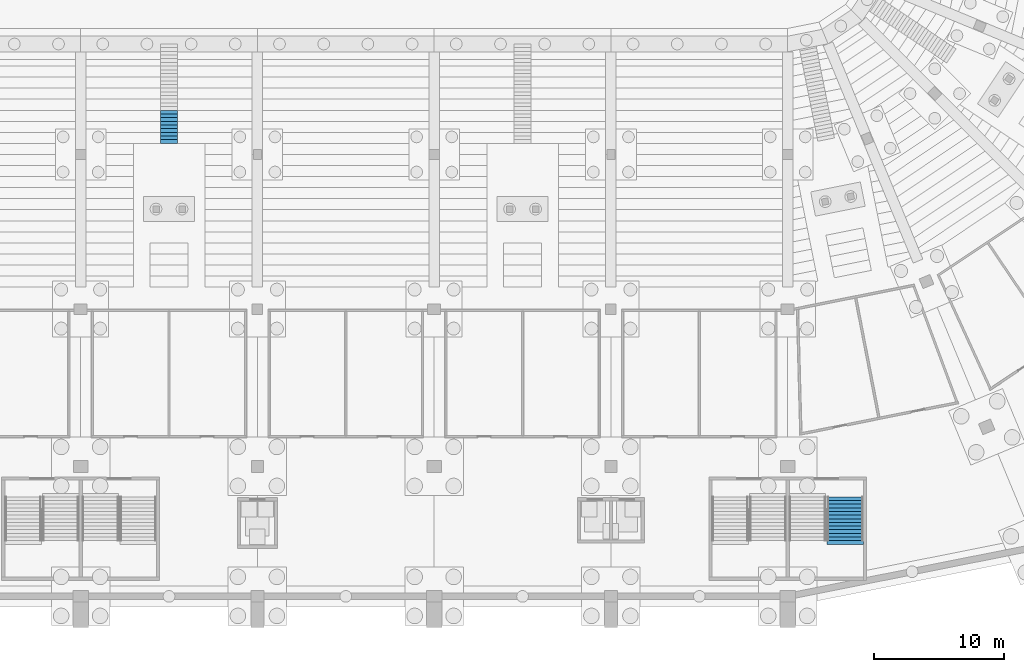
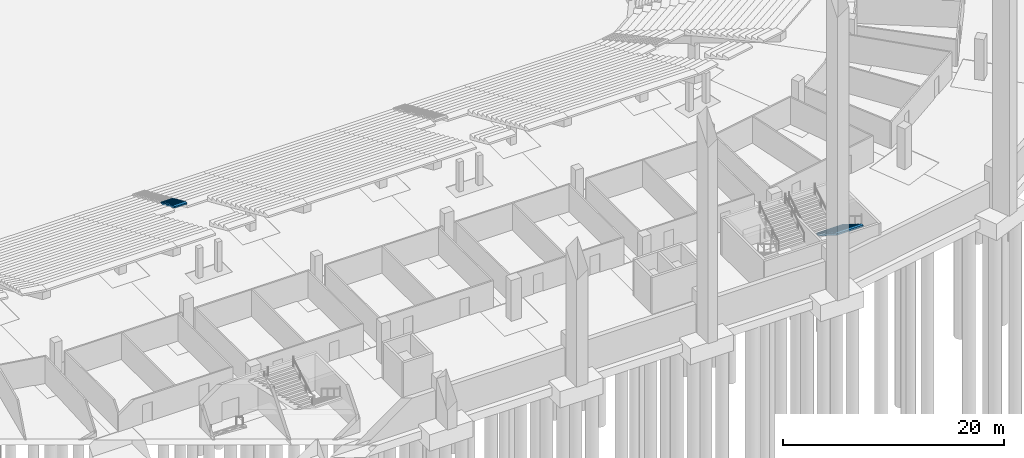
# One storey, part 70 of 115: 2 stair flights, 2 elements without a shape of their own.
"""IFC4 building model written with IfcOpenShell, lengths in metres."""

import ifcopenshell
import ifcopenshell.guid

model = None  # the IFC model being written
_history = None  # IfcOwnerHistory: only IFC2X3 demands one
_inside = {}  # id of a spatial element -> (the spatial element, [elements in it])
_under = {}  # id of a project, library or spatial element -> (it, [spatial elements below it])
_declared = {}  # id of a project -> (the project, [libraries it declares])
_typed = {}  # id of a type object -> (the type object, [elements of that type])
_made_of = {}  # id of a material, layer set ... -> (it, [elements and type objects made of it])


def new_model(schema):
    """Start an empty IFC model of exactly this schema.

    Asked for "IFC4X3", IfcOpenShell would pick the latest addendum, in which some entities
    have other attributes; the version numbers below select the first issue.
    IFC2X3 requires an IfcOwnerHistory on every rooted entity: one is made here for all.
    """
    global model, _history
    if schema == "IFC4X3":
        model = ifcopenshell.file(schema_version=(4, 3, 0, 0))
    else:
        model = ifcopenshell.file(schema=schema)
    _inside.clear()
    _under.clear()
    _declared.clear()
    _typed.clear()
    _made_of.clear()
    _history = None
    if model.schema == "IFC2X3":
        org = make("IfcOrganization", Name="unknown")
        user = make(
            "IfcPersonAndOrganization",
            ThePerson=make("IfcPerson", FamilyName="unknown"),
            TheOrganization=org,
        )
        app = make(
            "IfcApplication",
            ApplicationDeveloper=org,
            Version="unknown",
            ApplicationFullName="unknown",
            ApplicationIdentifier="unknown",
        )
        _history = make(
            "IfcOwnerHistory",
            OwningUser=user,
            OwningApplication=app,
            ChangeAction="ADDED",
            CreationDate=0,
        )
    return model


def make(cls, **values):
    """One entity of the class cls with the attributes given. An attribute that is None is left unset."""
    return model.create_entity(
        cls, **{name: value for name, value in values.items() if value is not None}
    )


def rooted(cls, **values):
    """An entity with a GlobalId (a new one), such as an element, a storey or a relation."""
    return make(cls, GlobalId=ifcopenshell.guid.new(), OwnerHistory=_history, **values)


def si_unit(unit_type, name, prefix=None):
    """IfcSIUnit, for example si_unit("LENGTHUNIT", "METRE", prefix="MILLI")."""
    return make("IfcSIUnit", UnitType=unit_type, Prefix=prefix, Name=name)


def assignment(units):
    """IfcUnitAssignment: the units of a project."""
    return None if units is None else make("IfcUnitAssignment", Units=units)


def point(xyz):
    """IfcCartesianPoint."""
    return None if xyz is None else make("IfcCartesianPoint", Coordinates=xyz)


def direction(xyz):
    """IfcDirection."""
    return None if xyz is None else make("IfcDirection", DirectionRatios=xyz)


def frame(location, z_axis=None, x_axis=None):
    """IfcAxis2Placement3D, a coordinate frame: its origin and axes. An axis left out is left unset."""
    return make(
        "IfcAxis2Placement3D",
        Location=point(location),
        Axis=direction(z_axis),
        RefDirection=direction(x_axis),
    )


def origin():
    """The frame at (0, 0, 0) with its axes left unset."""
    return frame((0.0, 0.0, 0.0))


def place(relative_to, where):
    """IfcLocalPlacement: puts the frame where relative to a parent placement (None: the world)."""
    return make(
        "IfcLocalPlacement", PlacementRelTo=relative_to, RelativePlacement=where
    )


def context(
    kind, dimensions, precision=None, world=None, true_north=None, identifier=None
):
    """IfcGeometricRepresentationContext, for example the 3D "Model" context."""
    return make(
        "IfcGeometricRepresentationContext",
        ContextIdentifier=identifier,
        ContextType=kind,
        CoordinateSpaceDimension=dimensions,
        Precision=precision,
        WorldCoordinateSystem=world,
        TrueNorth=true_north,
    )


def subcontext(parent, identifier, kind, view, scale=None):
    """IfcGeometricRepresentationSubContext, for example "Body" below "Model"."""
    return make(
        "IfcGeometricRepresentationSubContext",
        ContextIdentifier=identifier,
        ContextType=kind,
        ParentContext=parent,
        TargetScale=scale,
        TargetView=view,
    )


def project(units=None, contexts=None):
    """IfcProject with its units and contexts."""
    return rooted(
        "IfcProject",
        Name="project",
        RepresentationContexts=contexts,
        UnitsInContext=assignment(units),
    )


def spatial(cls, under=None, at=None, **own):
    """A site, building, storey or space (cls), placed at a placement, below another one or the project."""
    s = rooted(cls, ObjectPlacement=at, **own)
    if under is not None:
        _under.setdefault(under.id(), (under, []))[1].append(s)
    return s


def faces_of(points, faces, orient=None, outer=None):
    """IfcFace entities. A face is a list of loops; a loop is a list of indices into points, from 0.

    orient and outer hold one flag for each loop. By default every Orientation is true, the
    first loop of a face is its IfcFaceOuterBound and the others are IfcFaceBound.
    """
    made = []
    for i, loops in enumerate(faces):
        bounds = []
        for j, loop in enumerate(loops):
            is_outer = j == 0 if outer is None else outer[i][j]
            bounds.append(
                make(
                    "IfcFaceOuterBound" if is_outer else "IfcFaceBound",
                    Bound=make("IfcPolyLoop", Polygon=[points[k] for k in loop]),
                    Orientation=True if orient is None else orient[i][j],
                )
            )
        made.append(make("IfcFace", Bounds=bounds))
    return made


def faceted_brep(points, faces, orient=None, outer=None, voids=None):
    """IfcFacetedBrep: a solid bounded by flat faces; with voids (closed shells), ...WithVoids."""
    shared = [point(p) for p in points]
    hull = make("IfcClosedShell", CfsFaces=faces_of(shared, faces, orient, outer))
    if voids is None:
        return make("IfcFacetedBrep", Outer=hull)
    return make(
        "IfcFacetedBrepWithVoids",
        Outer=hull,
        Voids=[
            make(cls, CfsFaces=faces_of(shared, fs, o, b)) for cls, fs, o, b in voids
        ],
    )


def shape(context_of_items, identifier, shape_type, items):
    """IfcShapeRepresentation: the items that make up one representation, for example the "Body"."""
    return make(
        "IfcShapeRepresentation",
        ContextOfItems=context_of_items,
        RepresentationIdentifier=identifier,
        RepresentationType=shape_type,
        Items=items,
    )


def material(Name=None, Category=None):
    """IfcMaterial."""
    return make("IfcMaterial", Name=Name, Category=Category)


def made_of(thing, what):
    """Note that an element or type object is made of a material, layer set ...; save() writes the relation."""
    if what is not None:
        _made_of.setdefault(what.id(), (what, []))[1].append(thing)
    return thing


def type_object(cls, material=None, **own):
    """A type object (cls), such as IfcWallType, which elements share."""
    return made_of(rooted(cls, **own), material)


def element(
    cls,
    number,
    at=None,
    inside=None,
    cuts=None,
    type_object=None,
    material=None,
    context=None,
    identifier="Body",
    shape_type=None,
    held_by="IfcProductDefinitionShape",
    body=None,
    shapes=None,
    **own,
):
    """One element of the class cls, such as IfcWall. Its Tag is "e" and its number.

    at: its placement. inside: the storey or other place that contains it. cuts: it is an
    opening in that element (IfcRelVoidsElement). A single representation is given by context,
    identifier, shape_type and body (its items); several are given by shapes. held_by: the class
    of the entity that holds the representations. save() writes the other relations.
    """
    e = rooted(cls, Tag="e%d" % number, ObjectPlacement=at, **own)
    if body is not None:
        shapes = [shape(context, identifier, shape_type, body)]
    if shapes is not None:
        e.Representation = make(held_by, Representations=shapes)
    if inside is not None:
        _inside.setdefault(inside.id(), (inside, []))[1].append(e)
    if cuts is not None:
        rooted(
            "IfcRelVoidsElement", RelatingBuildingElement=cuts, RelatedOpeningElement=e
        )
    if type_object is not None:
        _typed.setdefault(type_object.id(), (type_object, []))[1].append(e)
    return made_of(e, material)


def aggregate(whole, parts):
    """IfcRelAggregates: a whole, such as a stair, and the parts it consists of."""
    return rooted("IfcRelAggregates", RelatingObject=whole, RelatedObjects=parts)


def save(model, path):
    """Write the relations noted so far, then the file.

    IfcRelAggregates (storeys below a building ...), IfcRelContainedInSpatialStructure (elements
    in a storey), IfcRelDefinesByType, IfcRelAssociatesMaterial and IfcRelDeclares: one each for
    every whole, place, type object, material and project.
    """
    for whole, parts in _under.values():
        aggregate(whole, parts)
    for where, things in _inside.values():
        rooted(
            "IfcRelContainedInSpatialStructure",
            RelatedElements=things,
            RelatingStructure=where,
        )
    for kind, things in _typed.values():
        rooted("IfcRelDefinesByType", RelatedObjects=things, RelatingType=kind)
    for what, things in _made_of.values():
        rooted("IfcRelAssociatesMaterial", RelatedObjects=things, RelatingMaterial=what)
    for by, libraries in _declared.values():
        rooted("IfcRelDeclares", RelatingContext=by, RelatedDefinitions=libraries)
    model.write(path)


model = new_model("IFC4")

# Units and contexts
model_context = context("Model", 3, precision=1e-05, world=origin(), true_north=direction((0.0, 1.0)))
body_context = subcontext(model_context, "Body", "Model", "MODEL_VIEW")
ifc_project = project(units=[si_unit("LENGTHUNIT", "METRE"), si_unit("AREAUNIT", "SQUARE_METRE"), si_unit("VOLUMEUNIT", "CUBIC_METRE"), si_unit("PLANEANGLEUNIT", "RADIAN"), si_unit("MASSUNIT", "GRAM", prefix="KILO")], contexts=[model_context])

# Site, building, storey
site_placement = place(None, origin())
site = spatial("IfcSite", under=ifc_project, at=site_placement, CompositionType="ELEMENT")
building_placement = place(site_placement, origin())
building = spatial("IfcBuilding", under=site, at=building_placement, Name="Ogive Plaza Stadium", CompositionType="ELEMENT")
storey_placement = place(building_placement, frame((0.0, 0.0, -4.5)))
storey = spatial("IfcBuildingStorey", under=building, at=storey_placement, Name="B1", CompositionType="ELEMENT", Elevation=-4.5)

# Stair, stair flight
ifc_material_1 = material(Name="Concrete C40/50", Category="concrete")
stair_type_1 = type_object("IfcStairType", Name="Aisle stair", PredefinedType="STRAIGHT_RUN_STAIR", material=ifc_material_1)
stair_1_placement = place(storey_placement, origin())
stair_1 = element("IfcStair", 1, at=stair_1_placement, inside=storey, type_object=stair_type_1, Name="Aisle stair SA15D", PredefinedType="STRAIGHT_RUN_STAIR")
ifc_material_2 = material(Name="Concrete C40/50", Category="concrete")
stair_flight_type_1 = type_object("IfcStairFlightType", Name="Aisle stair flight", PredefinedType="STRAIGHT", material=ifc_material_2)
stair_flight_1_placement = place(storey_placement, frame((-13.60009765625, -65.10009765625, 3.375), z_axis=(0.0, 0.0, 1.0), x_axis=(0.0, -1.0, 0.0)))
stair_flight_1 = element("IfcStairFlight", 2, at=stair_flight_1_placement, type_object=stair_flight_type_1, Name="SA15D flight 2", NumberOfRisers=9, NumberOfTreads=8, PredefinedType="STRAIGHT", RiserHeight=0.125, TreadLength=0.283333333, context=body_context, shape_type="Brep", body=[
    faceted_brep([(0.371337890625, -0.64990234375, 0.0), (2.550048828125, -0.64990234375, 0.961181640625), (2.550048828125, -0.64990234375, 1.125), (2.2666015625, -0.64990234375, 1.125), (2.2666015625, -0.64990234375, 1.0), (1.9833984375, -0.64990234375, 1.0), (1.9833984375, -0.64990234375, 0.875), (1.699951171875, -0.64990234375, 0.875), (1.699951171875, -0.64990234375, 0.75), (1.416748046875, -0.64990234375, 0.75), (1.416748046875, -0.64990234375, 0.625), (1.13330078125, -0.64990234375, 0.625), (1.13330078125, -0.64990234375, 0.5), (0.85009765625, -0.64990234375, 0.5), (0.85009765625, -0.64990234375, 0.375), (0.566650390625, -0.64990234375, 0.375), (0.566650390625, -0.64990234375, 0.25), (0.283447265625, -0.64990234375, 0.25), (0.283447265625, -0.64990234375, 0.125), (0.0, -0.64990234375, 0.125), (0.0, -0.64990234375, 0.0), (0.0, 0.64990234375, 0.0), (0.0, 0.64990234375, 0.125), (0.283447265625, 0.64990234375, 0.125), (0.283447265625, 0.64990234375, 0.25), (0.566650390625, 0.64990234375, 0.25), (0.566650390625, 0.64990234375, 0.375), (0.85009765625, 0.64990234375, 0.375), (0.85009765625, 0.64990234375, 0.5), (1.13330078125, 0.64990234375, 0.5), (1.13330078125, 0.64990234375, 0.625), (1.416748046875, 0.64990234375, 0.625), (1.416748046875, 0.64990234375, 0.75), (1.699951171875, 0.64990234375, 0.75), (1.699951171875, 0.64990234375, 0.875), (1.9833984375, 0.64990234375, 0.875), (1.9833984375, 0.64990234375, 1.0), (2.2666015625, 0.64990234375, 1.0), (2.2666015625, 0.64990234375, 1.125), (2.550048828125, 0.64990234375, 1.125), (2.550048828125, 0.64990234375, 0.961181640625), (0.371337890625, 0.64990234375, 0.0), (0.371337890625, -0.324951171875, 0.0), (2.550048828125, -0.324951171875, 0.961181640625), (0.371337890625, 0.0, 0.0), (2.550048828125, 0.0, 0.961181640625), (0.371337890625, 0.324951171875, 0.0), (2.550048828125, 0.324951171875, 0.961181640625), (2.550048828125, -0.324951171875, 1.125), (2.550048828125, 0.0, 1.125), (2.550048828125, 0.324951171875, 1.125), (2.2666015625, -0.324951171875, 1.125), (2.2666015625, 0.0, 1.125), (2.2666015625, 0.324951171875, 1.125), (2.2666015625, -0.324951171875, 1.0), (2.2666015625, 0.0, 1.0), (2.2666015625, 0.324951171875, 1.0), (1.9833984375, -0.324951171875, 1.0), (1.9833984375, 0.0, 1.0), (1.9833984375, 0.324951171875, 1.0), (1.9833984375, -0.324951171875, 0.875), (1.9833984375, 0.0, 0.875), (1.9833984375, 0.324951171875, 0.875), (1.699951171875, -0.324951171875, 0.875), (1.699951171875, 0.0, 0.875), (1.699951171875, 0.324951171875, 0.875), (1.699951171875, -0.324951171875, 0.75), (1.699951171875, 0.0, 0.75), (1.699951171875, 0.324951171875, 0.75), (1.416748046875, -0.324951171875, 0.75), (1.416748046875, 0.0, 0.75), (1.416748046875, 0.324951171875, 0.75), (1.416748046875, -0.324951171875, 0.625), (1.416748046875, 0.0, 0.625), (1.416748046875, 0.324951171875, 0.625), (1.13330078125, -0.324951171875, 0.625), (1.13330078125, 0.0, 0.625), (1.13330078125, 0.324951171875, 0.625), (1.13330078125, -0.324951171875, 0.5), (1.13330078125, 0.0, 0.5), (1.13330078125, 0.324951171875, 0.5), (0.85009765625, -0.324951171875, 0.5), (0.85009765625, 0.0, 0.5), (0.85009765625, 0.324951171875, 0.5), (0.85009765625, -0.324951171875, 0.375), (0.85009765625, 0.0, 0.375), (0.85009765625, 0.324951171875, 0.375), (0.566650390625, -0.324951171875, 0.375), (0.566650390625, 0.0, 0.375), (0.566650390625, 0.324951171875, 0.375), (0.566650390625, -0.324951171875, 0.25), (0.566650390625, 0.0, 0.25), (0.566650390625, 0.324951171875, 0.25), (0.283447265625, -0.324951171875, 0.25), (0.283447265625, 0.0, 0.25), (0.283447265625, 0.324951171875, 0.25), (0.283447265625, -0.324951171875, 0.125), (0.283447265625, 0.0, 0.125), (0.283447265625, 0.324951171875, 0.125), (0.0, -0.324951171875, 0.125), (0.0, 0.0, 0.125), (0.0, 0.324951171875, 0.125), (0.0, -0.324951171875, 0.0), (0.0, 0.0, 0.0), (0.0, 0.324951171875, 0.0)], [[[0, 1, 2, 3, 4, 5, 6, 7, 8, 9, 10, 11, 12, 13, 14, 15, 16, 17, 18, 19, 20]], [[21, 22, 23, 24, 25, 26, 27, 28, 29, 30, 31, 32, 33, 34, 35, 36, 37, 38, 39, 40, 41]], [[0, 42, 43, 1]], [[42, 44, 45, 43]], [[44, 46, 47, 45]], [[46, 41, 40, 47]], [[1, 43, 48, 2]], [[43, 45, 49, 48]], [[45, 47, 50, 49]], [[47, 40, 39, 50]], [[2, 48, 51, 3]], [[48, 49, 52, 51]], [[49, 50, 53, 52]], [[50, 39, 38, 53]], [[3, 51, 54, 4]], [[51, 52, 55, 54]], [[52, 53, 56, 55]], [[53, 38, 37, 56]], [[4, 54, 57, 5]], [[54, 55, 58, 57]], [[55, 56, 59, 58]], [[56, 37, 36, 59]], [[5, 57, 60, 6]], [[57, 58, 61, 60]], [[58, 59, 62, 61]], [[59, 36, 35, 62]], [[6, 60, 63, 7]], [[60, 61, 64, 63]], [[61, 62, 65, 64]], [[62, 35, 34, 65]], [[7, 63, 66, 8]], [[63, 64, 67, 66]], [[64, 65, 68, 67]], [[65, 34, 33, 68]], [[8, 66, 69, 9]], [[66, 67, 70, 69]], [[67, 68, 71, 70]], [[68, 33, 32, 71]], [[9, 69, 72, 10]], [[69, 70, 73, 72]], [[70, 71, 74, 73]], [[71, 32, 31, 74]], [[10, 72, 75, 11]], [[72, 73, 76, 75]], [[73, 74, 77, 76]], [[74, 31, 30, 77]], [[11, 75, 78, 12]], [[75, 76, 79, 78]], [[76, 77, 80, 79]], [[77, 30, 29, 80]], [[12, 78, 81, 13]], [[78, 79, 82, 81]], [[79, 80, 83, 82]], [[80, 29, 28, 83]], [[13, 81, 84, 14]], [[81, 82, 85, 84]], [[82, 83, 86, 85]], [[83, 28, 27, 86]], [[14, 84, 87, 15]], [[84, 85, 88, 87]], [[85, 86, 89, 88]], [[86, 27, 26, 89]], [[15, 87, 90, 16]], [[87, 88, 91, 90]], [[88, 89, 92, 91]], [[89, 26, 25, 92]], [[16, 90, 93, 17]], [[90, 91, 94, 93]], [[91, 92, 95, 94]], [[92, 25, 24, 95]], [[17, 93, 96, 18]], [[93, 94, 97, 96]], [[94, 95, 98, 97]], [[95, 24, 23, 98]], [[18, 96, 99, 19]], [[96, 97, 100, 99]], [[97, 98, 101, 100]], [[98, 23, 22, 101]], [[19, 99, 102, 20]], [[99, 100, 103, 102]], [[100, 101, 104, 103]], [[101, 22, 21, 104]], [[20, 102, 42, 0]], [[102, 103, 44, 42]], [[103, 104, 46, 44]], [[104, 21, 41, 46]]]),
])
aggregate(stair_1, [stair_flight_1])

ifc_material_3 = material(Name="Concrete C40/50", Category="concrete")
stair_type_2 = type_object("IfcStairType", Name="Exit stair", PredefinedType="STRAIGHT_RUN_STAIR", material=ifc_material_3)
stair_2_placement = place(storey_placement, origin())
stair_2 = element("IfcStair", 3, at=stair_2_placement, inside=storey, type_object=stair_type_2, Name="Exit stair ST12B B1 to L00", PredefinedType="STRAIGHT_RUN_STAIR")
ifc_material_4 = material(Name="Concrete C40/50", Category="concrete")
stair_flight_type_2 = type_object("IfcStairFlightType", Name="Exit stair flight", PredefinedType="STRAIGHT", material=ifc_material_4)
stair_flight_2_placement = place(storey_placement, frame((38.425048828125, -94.85009765625, 0.0), z_axis=(0.0, 0.0, 1.0), x_axis=(0.0, -1.0, 0.0)))
stair_flight_2 = element("IfcStairFlight", 4, at=stair_flight_2_placement, type_object=stair_flight_type_2, Name="ST12B flight 1", NumberOfRisers=13, NumberOfTreads=12, PredefinedType="STRAIGHT", RiserHeight=0.173076923, TreadLength=0.28, context=body_context, shape_type="Brep", body=[
    faceted_brep([(0.28515625, -1.39990234375, 0.0), (3.639892578125, -1.39990234375, 2.07373046875), (3.639892578125, -1.39990234375, 2.25), (3.360107421875, -1.39990234375, 2.25), (3.360107421875, -1.39990234375, 2.076904296875), (3.080078125, -1.39990234375, 2.076904296875), (3.080078125, -1.39990234375, 1.90380859375), (2.800048828125, -1.39990234375, 1.90380859375), (2.800048828125, -1.39990234375, 1.730712890625), (2.52001953125, -1.39990234375, 1.730712890625), (2.52001953125, -1.39990234375, 1.5576171875), (2.239990234375, -1.39990234375, 1.5576171875), (2.239990234375, -1.39990234375, 1.384521484375), (1.9599609375, -1.39990234375, 1.384521484375), (1.9599609375, -1.39990234375, 1.21142578125), (1.679931640625, -1.39990234375, 1.21142578125), (1.679931640625, -1.39990234375, 1.03857421875), (1.39990234375, -1.39990234375, 1.03857421875), (1.39990234375, -1.39990234375, 0.865478515625), (1.1201171875, -1.39990234375, 0.865478515625), (1.1201171875, -1.39990234375, 0.6923828125), (0.840087890625, -1.39990234375, 0.6923828125), (0.840087890625, -1.39990234375, 0.519287109375), (0.56005859375, -1.39990234375, 0.519287109375), (0.56005859375, -1.39990234375, 0.34619140625), (0.280029296875, -1.39990234375, 0.34619140625), (0.280029296875, -1.39990234375, 0.173095703125), (0.0, -1.39990234375, 0.173095703125), (0.0, -1.39990234375, 0.0), (0.0, 1.39990234375, 0.0), (0.0, 1.39990234375, 0.173095703125), (0.280029296875, 1.39990234375, 0.173095703125), (0.280029296875, 1.39990234375, 0.34619140625), (0.56005859375, 1.39990234375, 0.34619140625), (0.56005859375, 1.39990234375, 0.519287109375), (0.840087890625, 1.39990234375, 0.519287109375), (0.840087890625, 1.39990234375, 0.6923828125), (1.1201171875, 1.39990234375, 0.6923828125), (1.1201171875, 1.39990234375, 0.865478515625), (1.39990234375, 1.39990234375, 0.865478515625), (1.39990234375, 1.39990234375, 1.03857421875), (1.679931640625, 1.39990234375, 1.03857421875), (1.679931640625, 1.39990234375, 1.21142578125), (1.9599609375, 1.39990234375, 1.21142578125), (1.9599609375, 1.39990234375, 1.384521484375), (2.239990234375, 1.39990234375, 1.384521484375), (2.239990234375, 1.39990234375, 1.5576171875), (2.52001953125, 1.39990234375, 1.5576171875), (2.52001953125, 1.39990234375, 1.730712890625), (2.800048828125, 1.39990234375, 1.730712890625), (2.800048828125, 1.39990234375, 1.90380859375), (3.080078125, 1.39990234375, 1.90380859375), (3.080078125, 1.39990234375, 2.076904296875), (3.360107421875, 1.39990234375, 2.076904296875), (3.360107421875, 1.39990234375, 2.25), (3.639892578125, 1.39990234375, 2.25), (3.639892578125, 1.39990234375, 2.07373046875), (0.28515625, 1.39990234375, 0.0), (0.28515625, -1.0888671875, 0.0), (3.639892578125, -1.0888671875, 2.07373046875), (0.28515625, -0.77783203125, 0.0), (3.639892578125, -0.77783203125, 2.07373046875), (0.28515625, -0.466796875, 0.0), (3.639892578125, -0.466796875, 2.07373046875), (0.28515625, -0.155517578125, 0.0), (3.639892578125, -0.155517578125, 2.07373046875), (0.28515625, 0.155517578125, 0.0), (3.639892578125, 0.155517578125, 2.07373046875), (0.28515625, 0.466796875, 0.0), (3.639892578125, 0.466796875, 2.07373046875), (0.28515625, 0.77783203125, 0.0), (3.639892578125, 0.77783203125, 2.07373046875), (0.28515625, 1.0888671875, 0.0), (3.639892578125, 1.0888671875, 2.07373046875), (3.639892578125, -1.0888671875, 2.25), (3.639892578125, -0.77783203125, 2.25), (3.639892578125, -0.466796875, 2.25), (3.639892578125, -0.155517578125, 2.25), (3.639892578125, 0.155517578125, 2.25), (3.639892578125, 0.466796875, 2.25), (3.639892578125, 0.77783203125, 2.25), (3.639892578125, 1.0888671875, 2.25), (3.360107421875, -1.0888671875, 2.25), (3.360107421875, -0.77783203125, 2.25), (3.360107421875, -0.466796875, 2.25), (3.360107421875, -0.155517578125, 2.25), (3.360107421875, 0.155517578125, 2.25), (3.360107421875, 0.466796875, 2.25), (3.360107421875, 0.77783203125, 2.25), (3.360107421875, 1.0888671875, 2.25), (3.360107421875, -1.0888671875, 2.076904296875), (3.360107421875, -0.77783203125, 2.076904296875), (3.360107421875, -0.466796875, 2.076904296875), (3.360107421875, -0.155517578125, 2.076904296875), (3.360107421875, 0.155517578125, 2.076904296875), (3.360107421875, 0.466796875, 2.076904296875), (3.360107421875, 0.77783203125, 2.076904296875), (3.360107421875, 1.0888671875, 2.076904296875), (3.080078125, -1.0888671875, 2.076904296875), (3.080078125, -0.77783203125, 2.076904296875), (3.080078125, -0.466796875, 2.076904296875), (3.080078125, -0.155517578125, 2.076904296875), (3.080078125, 0.155517578125, 2.076904296875), (3.080078125, 0.466796875, 2.076904296875), (3.080078125, 0.77783203125, 2.076904296875), (3.080078125, 1.0888671875, 2.076904296875), (3.080078125, -1.0888671875, 1.90380859375), (3.080078125, -0.77783203125, 1.90380859375), (3.080078125, -0.466796875, 1.90380859375), (3.080078125, -0.155517578125, 1.90380859375), (3.080078125, 0.155517578125, 1.90380859375), (3.080078125, 0.466796875, 1.90380859375), (3.080078125, 0.77783203125, 1.90380859375), (3.080078125, 1.0888671875, 1.90380859375), (2.800048828125, -1.0888671875, 1.90380859375), (2.800048828125, -0.77783203125, 1.90380859375), (2.800048828125, -0.466796875, 1.90380859375), (2.800048828125, -0.155517578125, 1.90380859375), (2.800048828125, 0.155517578125, 1.90380859375), (2.800048828125, 0.466796875, 1.90380859375), (2.800048828125, 0.77783203125, 1.90380859375), (2.800048828125, 1.0888671875, 1.90380859375), (2.800048828125, -1.0888671875, 1.730712890625), (2.800048828125, -0.77783203125, 1.730712890625), (2.800048828125, -0.466796875, 1.730712890625), (2.800048828125, -0.155517578125, 1.730712890625), (2.800048828125, 0.155517578125, 1.730712890625), (2.800048828125, 0.466796875, 1.730712890625), (2.800048828125, 0.77783203125, 1.730712890625), (2.800048828125, 1.0888671875, 1.730712890625), (2.52001953125, -1.0888671875, 1.730712890625), (2.52001953125, -0.77783203125, 1.730712890625), (2.52001953125, -0.466796875, 1.730712890625), (2.52001953125, -0.155517578125, 1.730712890625), (2.52001953125, 0.155517578125, 1.730712890625), (2.52001953125, 0.466796875, 1.730712890625), (2.52001953125, 0.77783203125, 1.730712890625), (2.52001953125, 1.0888671875, 1.730712890625), (2.52001953125, -1.0888671875, 1.5576171875), (2.52001953125, -0.77783203125, 1.5576171875), (2.52001953125, -0.466796875, 1.5576171875), (2.52001953125, -0.155517578125, 1.5576171875), (2.52001953125, 0.155517578125, 1.5576171875), (2.52001953125, 0.466796875, 1.5576171875), (2.52001953125, 0.77783203125, 1.5576171875), (2.52001953125, 1.0888671875, 1.5576171875), (2.239990234375, -1.0888671875, 1.5576171875), (2.239990234375, -0.77783203125, 1.5576171875), (2.239990234375, -0.466796875, 1.5576171875), (2.239990234375, -0.155517578125, 1.5576171875), (2.239990234375, 0.155517578125, 1.5576171875), (2.239990234375, 0.466796875, 1.5576171875), (2.239990234375, 0.77783203125, 1.5576171875), (2.239990234375, 1.0888671875, 1.5576171875), (2.239990234375, -1.0888671875, 1.384521484375), (2.239990234375, -0.77783203125, 1.384521484375), (2.239990234375, -0.466796875, 1.384521484375), (2.239990234375, -0.155517578125, 1.384521484375), (2.239990234375, 0.155517578125, 1.384521484375), (2.239990234375, 0.466796875, 1.384521484375), (2.239990234375, 0.77783203125, 1.384521484375), (2.239990234375, 1.0888671875, 1.384521484375), (1.9599609375, -1.0888671875, 1.384521484375), (1.9599609375, -0.77783203125, 1.384521484375), (1.9599609375, -0.466796875, 1.384521484375), (1.9599609375, -0.155517578125, 1.384521484375), (1.9599609375, 0.155517578125, 1.384521484375), (1.9599609375, 0.466796875, 1.384521484375), (1.9599609375, 0.77783203125, 1.384521484375), (1.9599609375, 1.0888671875, 1.384521484375), (1.9599609375, -1.0888671875, 1.21142578125), (1.9599609375, -0.77783203125, 1.21142578125), (1.9599609375, -0.466796875, 1.21142578125), (1.9599609375, -0.155517578125, 1.21142578125), (1.9599609375, 0.155517578125, 1.21142578125), (1.9599609375, 0.466796875, 1.21142578125), (1.9599609375, 0.77783203125, 1.21142578125), (1.9599609375, 1.0888671875, 1.21142578125), (1.679931640625, -1.0888671875, 1.21142578125), (1.679931640625, -0.77783203125, 1.21142578125), (1.679931640625, -0.466796875, 1.21142578125), (1.679931640625, -0.155517578125, 1.21142578125), (1.679931640625, 0.155517578125, 1.21142578125), (1.679931640625, 0.466796875, 1.21142578125), (1.679931640625, 0.77783203125, 1.21142578125), (1.679931640625, 1.0888671875, 1.21142578125), (1.679931640625, -1.0888671875, 1.03857421875), (1.679931640625, -0.77783203125, 1.03857421875), (1.679931640625, -0.466796875, 1.03857421875), (1.679931640625, -0.155517578125, 1.03857421875), (1.679931640625, 0.155517578125, 1.03857421875), (1.679931640625, 0.466796875, 1.03857421875), (1.679931640625, 0.77783203125, 1.03857421875), (1.679931640625, 1.0888671875, 1.03857421875), (1.39990234375, -1.0888671875, 1.03857421875), (1.39990234375, -0.77783203125, 1.03857421875), (1.39990234375, -0.466796875, 1.03857421875), (1.39990234375, -0.155517578125, 1.03857421875), (1.39990234375, 0.155517578125, 1.03857421875), (1.39990234375, 0.466796875, 1.03857421875), (1.39990234375, 0.77783203125, 1.03857421875), (1.39990234375, 1.0888671875, 1.03857421875), (1.39990234375, -1.0888671875, 0.865478515625), (1.39990234375, -0.77783203125, 0.865478515625), (1.39990234375, -0.466796875, 0.865478515625), (1.39990234375, -0.155517578125, 0.865478515625), (1.39990234375, 0.155517578125, 0.865478515625), (1.39990234375, 0.466796875, 0.865478515625), (1.39990234375, 0.77783203125, 0.865478515625), (1.39990234375, 1.0888671875, 0.865478515625), (1.1201171875, -1.0888671875, 0.865478515625), (1.1201171875, -0.77783203125, 0.865478515625), (1.1201171875, -0.466796875, 0.865478515625), (1.1201171875, -0.155517578125, 0.865478515625), (1.1201171875, 0.155517578125, 0.865478515625), (1.1201171875, 0.466796875, 0.865478515625), (1.1201171875, 0.77783203125, 0.865478515625), (1.1201171875, 1.0888671875, 0.865478515625), (1.1201171875, -1.0888671875, 0.6923828125), (1.1201171875, -0.77783203125, 0.6923828125), (1.1201171875, -0.466796875, 0.6923828125), (1.1201171875, -0.155517578125, 0.6923828125), (1.1201171875, 0.155517578125, 0.6923828125), (1.1201171875, 0.466796875, 0.6923828125), (1.1201171875, 0.77783203125, 0.6923828125), (1.1201171875, 1.0888671875, 0.6923828125), (0.840087890625, -1.0888671875, 0.6923828125), (0.840087890625, -0.77783203125, 0.6923828125), (0.840087890625, -0.466796875, 0.6923828125), (0.840087890625, -0.155517578125, 0.6923828125), (0.840087890625, 0.155517578125, 0.6923828125), (0.840087890625, 0.466796875, 0.6923828125), (0.840087890625, 0.77783203125, 0.6923828125), (0.840087890625, 1.0888671875, 0.6923828125), (0.840087890625, -1.0888671875, 0.519287109375), (0.840087890625, -0.77783203125, 0.519287109375), (0.840087890625, -0.466796875, 0.519287109375), (0.840087890625, -0.155517578125, 0.519287109375), (0.840087890625, 0.155517578125, 0.519287109375), (0.840087890625, 0.466796875, 0.519287109375), (0.840087890625, 0.77783203125, 0.519287109375), (0.840087890625, 1.0888671875, 0.519287109375), (0.56005859375, -1.0888671875, 0.519287109375), (0.56005859375, -0.77783203125, 0.519287109375), (0.56005859375, -0.466796875, 0.519287109375), (0.56005859375, -0.155517578125, 0.519287109375), (0.56005859375, 0.155517578125, 0.519287109375), (0.56005859375, 0.466796875, 0.519287109375), (0.56005859375, 0.77783203125, 0.519287109375), (0.56005859375, 1.0888671875, 0.519287109375), (0.56005859375, -1.0888671875, 0.34619140625), (0.56005859375, -0.77783203125, 0.34619140625), (0.56005859375, -0.466796875, 0.34619140625), (0.56005859375, -0.155517578125, 0.34619140625), (0.56005859375, 0.155517578125, 0.34619140625), (0.56005859375, 0.466796875, 0.34619140625), (0.56005859375, 0.77783203125, 0.34619140625), (0.56005859375, 1.0888671875, 0.34619140625), (0.280029296875, -1.0888671875, 0.34619140625), (0.280029296875, -0.77783203125, 0.34619140625), (0.280029296875, -0.466796875, 0.34619140625), (0.280029296875, -0.155517578125, 0.34619140625), (0.280029296875, 0.155517578125, 0.34619140625), (0.280029296875, 0.466796875, 0.34619140625), (0.280029296875, 0.77783203125, 0.34619140625), (0.280029296875, 1.0888671875, 0.34619140625), (0.280029296875, -1.0888671875, 0.173095703125), (0.280029296875, -0.77783203125, 0.173095703125), (0.280029296875, -0.466796875, 0.173095703125), (0.280029296875, -0.155517578125, 0.173095703125), (0.280029296875, 0.155517578125, 0.173095703125), (0.280029296875, 0.466796875, 0.173095703125), (0.280029296875, 0.77783203125, 0.173095703125), (0.280029296875, 1.0888671875, 0.173095703125), (0.0, -1.0888671875, 0.173095703125), (0.0, -0.77783203125, 0.173095703125), (0.0, -0.466796875, 0.173095703125), (0.0, -0.155517578125, 0.173095703125), (0.0, 0.155517578125, 0.173095703125), (0.0, 0.466796875, 0.173095703125), (0.0, 0.77783203125, 0.173095703125), (0.0, 1.0888671875, 0.173095703125), (0.0, -1.0888671875, 0.0), (0.0, -0.77783203125, 0.0), (0.0, -0.466796875, 0.0), (0.0, -0.155517578125, 0.0), (0.0, 0.155517578125, 0.0), (0.0, 0.466796875, 0.0), (0.0, 0.77783203125, 0.0), (0.0, 1.0888671875, 0.0)], [[[0, 1, 2, 3, 4, 5, 6, 7, 8, 9, 10, 11, 12, 13, 14, 15, 16, 17, 18, 19, 20, 21, 22, 23, 24, 25, 26, 27, 28]], [[29, 30, 31, 32, 33, 34, 35, 36, 37, 38, 39, 40, 41, 42, 43, 44, 45, 46, 47, 48, 49, 50, 51, 52, 53, 54, 55, 56, 57]], [[0, 58, 59, 1]], [[58, 60, 61, 59]], [[60, 62, 63, 61]], [[62, 64, 65, 63]], [[64, 66, 67, 65]], [[66, 68, 69, 67]], [[68, 70, 71, 69]], [[70, 72, 73, 71]], [[72, 57, 56, 73]], [[1, 59, 74, 2]], [[59, 61, 75, 74]], [[61, 63, 76, 75]], [[63, 65, 77, 76]], [[65, 67, 78, 77]], [[67, 69, 79, 78]], [[69, 71, 80, 79]], [[71, 73, 81, 80]], [[73, 56, 55, 81]], [[2, 74, 82, 3]], [[74, 75, 83, 82]], [[75, 76, 84, 83]], [[76, 77, 85, 84]], [[77, 78, 86, 85]], [[78, 79, 87, 86]], [[79, 80, 88, 87]], [[80, 81, 89, 88]], [[81, 55, 54, 89]], [[3, 82, 90, 4]], [[82, 83, 91, 90]], [[83, 84, 92, 91]], [[84, 85, 93, 92]], [[85, 86, 94, 93]], [[86, 87, 95, 94]], [[87, 88, 96, 95]], [[88, 89, 97, 96]], [[89, 54, 53, 97]], [[4, 90, 98, 5]], [[90, 91, 99, 98]], [[91, 92, 100, 99]], [[92, 93, 101, 100]], [[93, 94, 102, 101]], [[94, 95, 103, 102]], [[95, 96, 104, 103]], [[96, 97, 105, 104]], [[97, 53, 52, 105]], [[5, 98, 106, 6]], [[98, 99, 107, 106]], [[99, 100, 108, 107]], [[100, 101, 109, 108]], [[101, 102, 110, 109]], [[102, 103, 111, 110]], [[103, 104, 112, 111]], [[104, 105, 113, 112]], [[105, 52, 51, 113]], [[6, 106, 114, 7]], [[106, 107, 115, 114]], [[107, 108, 116, 115]], [[108, 109, 117, 116]], [[109, 110, 118, 117]], [[110, 111, 119, 118]], [[111, 112, 120, 119]], [[112, 113, 121, 120]], [[113, 51, 50, 121]], [[7, 114, 122, 8]], [[114, 115, 123, 122]], [[115, 116, 124, 123]], [[116, 117, 125, 124]], [[117, 118, 126, 125]], [[118, 119, 127, 126]], [[119, 120, 128, 127]], [[120, 121, 129, 128]], [[121, 50, 49, 129]], [[8, 122, 130, 9]], [[122, 123, 131, 130]], [[123, 124, 132, 131]], [[124, 125, 133, 132]], [[125, 126, 134, 133]], [[126, 127, 135, 134]], [[127, 128, 136, 135]], [[128, 129, 137, 136]], [[129, 49, 48, 137]], [[9, 130, 138, 10]], [[130, 131, 139, 138]], [[131, 132, 140, 139]], [[132, 133, 141, 140]], [[133, 134, 142, 141]], [[134, 135, 143, 142]], [[135, 136, 144, 143]], [[136, 137, 145, 144]], [[137, 48, 47, 145]], [[10, 138, 146, 11]], [[138, 139, 147, 146]], [[139, 140, 148, 147]], [[140, 141, 149, 148]], [[141, 142, 150, 149]], [[142, 143, 151, 150]], [[143, 144, 152, 151]], [[144, 145, 153, 152]], [[145, 47, 46, 153]], [[11, 146, 154, 12]], [[146, 147, 155, 154]], [[147, 148, 156, 155]], [[148, 149, 157, 156]], [[149, 150, 158, 157]], [[150, 151, 159, 158]], [[151, 152, 160, 159]], [[152, 153, 161, 160]], [[153, 46, 45, 161]], [[12, 154, 162, 13]], [[154, 155, 163, 162]], [[155, 156, 164, 163]], [[156, 157, 165, 164]], [[157, 158, 166, 165]], [[158, 159, 167, 166]], [[159, 160, 168, 167]], [[160, 161, 169, 168]], [[161, 45, 44, 169]], [[13, 162, 170, 14]], [[162, 163, 171, 170]], [[163, 164, 172, 171]], [[164, 165, 173, 172]], [[165, 166, 174, 173]], [[166, 167, 175, 174]], [[167, 168, 176, 175]], [[168, 169, 177, 176]], [[169, 44, 43, 177]], [[14, 170, 178, 15]], [[170, 171, 179, 178]], [[171, 172, 180, 179]], [[172, 173, 181, 180]], [[173, 174, 182, 181]], [[174, 175, 183, 182]], [[175, 176, 184, 183]], [[176, 177, 185, 184]], [[177, 43, 42, 185]], [[15, 178, 186, 16]], [[178, 179, 187, 186]], [[179, 180, 188, 187]], [[180, 181, 189, 188]], [[181, 182, 190, 189]], [[182, 183, 191, 190]], [[183, 184, 192, 191]], [[184, 185, 193, 192]], [[185, 42, 41, 193]], [[16, 186, 194, 17]], [[186, 187, 195, 194]], [[187, 188, 196, 195]], [[188, 189, 197, 196]], [[189, 190, 198, 197]], [[190, 191, 199, 198]], [[191, 192, 200, 199]], [[192, 193, 201, 200]], [[193, 41, 40, 201]], [[17, 194, 202, 18]], [[194, 195, 203, 202]], [[195, 196, 204, 203]], [[196, 197, 205, 204]], [[197, 198, 206, 205]], [[198, 199, 207, 206]], [[199, 200, 208, 207]], [[200, 201, 209, 208]], [[201, 40, 39, 209]], [[18, 202, 210, 19]], [[202, 203, 211, 210]], [[203, 204, 212, 211]], [[204, 205, 213, 212]], [[205, 206, 214, 213]], [[206, 207, 215, 214]], [[207, 208, 216, 215]], [[208, 209, 217, 216]], [[209, 39, 38, 217]], [[19, 210, 218, 20]], [[210, 211, 219, 218]], [[211, 212, 220, 219]], [[212, 213, 221, 220]], [[213, 214, 222, 221]], [[214, 215, 223, 222]], [[215, 216, 224, 223]], [[216, 217, 225, 224]], [[217, 38, 37, 225]], [[20, 218, 226, 21]], [[218, 219, 227, 226]], [[219, 220, 228, 227]], [[220, 221, 229, 228]], [[221, 222, 230, 229]], [[222, 223, 231, 230]], [[223, 224, 232, 231]], [[224, 225, 233, 232]], [[225, 37, 36, 233]], [[21, 226, 234, 22]], [[226, 227, 235, 234]], [[227, 228, 236, 235]], [[228, 229, 237, 236]], [[229, 230, 238, 237]], [[230, 231, 239, 238]], [[231, 232, 240, 239]], [[232, 233, 241, 240]], [[233, 36, 35, 241]], [[22, 234, 242, 23]], [[234, 235, 243, 242]], [[235, 236, 244, 243]], [[236, 237, 245, 244]], [[237, 238, 246, 245]], [[238, 239, 247, 246]], [[239, 240, 248, 247]], [[240, 241, 249, 248]], [[241, 35, 34, 249]], [[23, 242, 250, 24]], [[242, 243, 251, 250]], [[243, 244, 252, 251]], [[244, 245, 253, 252]], [[245, 246, 254, 253]], [[246, 247, 255, 254]], [[247, 248, 256, 255]], [[248, 249, 257, 256]], [[249, 34, 33, 257]], [[24, 250, 258, 25]], [[250, 251, 259, 258]], [[251, 252, 260, 259]], [[252, 253, 261, 260]], [[253, 254, 262, 261]], [[254, 255, 263, 262]], [[255, 256, 264, 263]], [[256, 257, 265, 264]], [[257, 33, 32, 265]], [[25, 258, 266, 26]], [[258, 259, 267, 266]], [[259, 260, 268, 267]], [[260, 261, 269, 268]], [[261, 262, 270, 269]], [[262, 263, 271, 270]], [[263, 264, 272, 271]], [[264, 265, 273, 272]], [[265, 32, 31, 273]], [[26, 266, 274, 27]], [[266, 267, 275, 274]], [[267, 268, 276, 275]], [[268, 269, 277, 276]], [[269, 270, 278, 277]], [[270, 271, 279, 278]], [[271, 272, 280, 279]], [[272, 273, 281, 280]], [[273, 31, 30, 281]], [[27, 274, 282, 28]], [[274, 275, 283, 282]], [[275, 276, 284, 283]], [[276, 277, 285, 284]], [[277, 278, 286, 285]], [[278, 279, 287, 286]], [[279, 280, 288, 287]], [[280, 281, 289, 288]], [[281, 30, 29, 289]], [[28, 282, 58, 0]], [[282, 283, 60, 58]], [[283, 284, 62, 60]], [[284, 285, 64, 62]], [[285, 286, 66, 64]], [[286, 287, 68, 66]], [[287, 288, 70, 68]], [[288, 289, 72, 70]], [[289, 29, 57, 72]]]),
])
aggregate(stair_2, [stair_flight_2])

save(model, "model.ifc")
